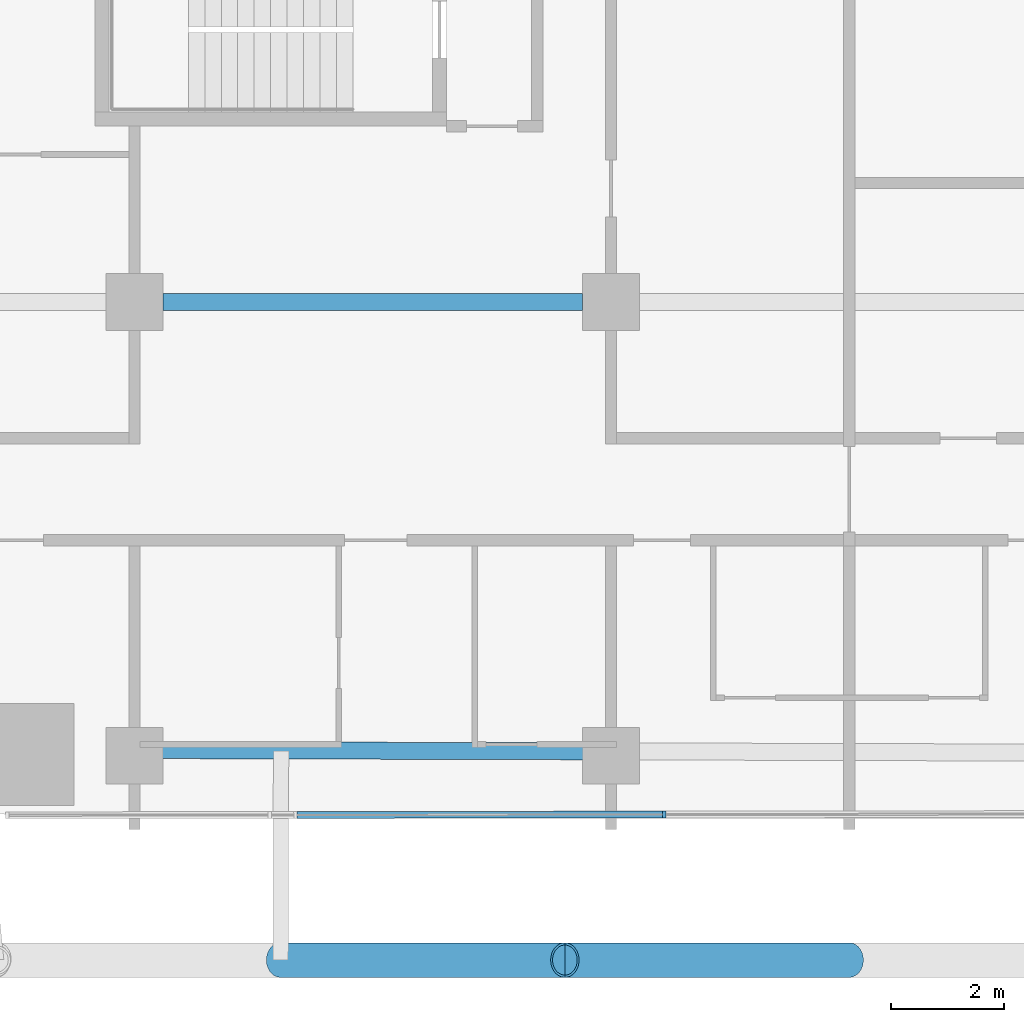
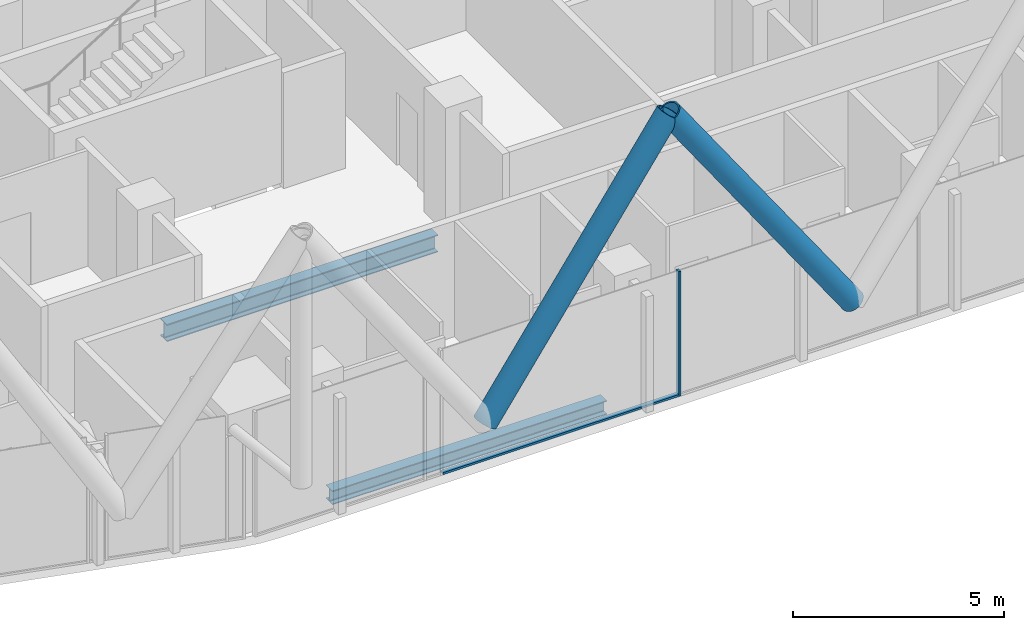
# One storey, part 3 of 38: 4 members, 2 beams, 1 element without a shape of its own.
"""IFC4 building model written with IfcOpenShell, lengths in metres."""

from ifc_helpers import new_model, si_unit, direction, frame, origin, origin_2d, place, context, subcontext, project, spatial, rectangle, hollow_circle, i_section, extrude, material, layer, layer_set, material_profile, profile_set, type_object, element, aggregate, save


model = new_model("IFC4")

# Units and contexts
model_context = context("Model", 3, precision=1e-05, world=origin(), true_north=direction((0.0, 1.0)))
body_context = subcontext(model_context, "Body", "Model", "MODEL_VIEW")
ifc_project = project(units=[si_unit("LENGTHUNIT", "METRE"), si_unit("AREAUNIT", "SQUARE_METRE"), si_unit("VOLUMEUNIT", "CUBIC_METRE"), si_unit("PLANEANGLEUNIT", "RADIAN"), si_unit("MASSUNIT", "GRAM", prefix="KILO")], contexts=[model_context])

# Site, building, storey
site_placement = place(None, origin())
site = spatial("IfcSite", under=ifc_project, at=site_placement, CompositionType="ELEMENT")
building_placement = place(site_placement, origin())
building = spatial("IfcBuilding", under=site, at=building_placement, Name="Marenta Gate Hotel Tower", CompositionType="ELEMENT")
storey_placement = place(building_placement, frame((0.0, 0.0, 68.89990234375)))
storey = spatial("IfcBuildingStorey", under=building, at=storey_placement, Name="L15", CompositionType="ELEMENT", Elevation=68.89990234375)

# Members
ifc_material_1 = material(Name="Steel S355J2W", Category="steel")
ifc_material_profile_1 = material_profile(ifc_material_1, hollow_circle(Radius=0.304931640625, WallThickness=0.0400390625, at=origin_2d()), Name="CHS 610x40")
ifc_profile_set_1 = profile_set([ifc_material_profile_1], Name="Steel S355J2W")
member_type_1 = type_object("IfcMemberType", Name="Diagrid diagonal Z1 CHS 610x40", PredefinedType="BRACE", material=ifc_profile_set_1)
for number, where, z_axis, x_axis, name in (
    (1, (0.0, -20.0, 3.14013671875), (-0.571393025954, 0.0, 0.820676556197), (0.0, -1.0, 0.0), "L15-DG-18"),
    (2, (-10.02587890625, -20.0, 3.14013671875), (0.571393025954, 0.0, 0.820676556197), (0.0, 1.0, 0.0), "L15-DG-19"),
):
    element("IfcMember", number, at=place(storey_placement, frame(where, z_axis=z_axis, x_axis=x_axis)), inside=storey, type_object=member_type_1, Name=name, PredefinedType="BRACE", context=body_context, shape_type="SweptSolid", body=[
        extrude(hollow_circle(Radius=0.304931640625, WallThickness=0.0400390625, at=origin_2d()), origin(), (0.0, 0.0, 1.0), 8.773193359375),
    ])

# Beams
ifc_material_2 = material(Name="Steel S355", Category="steel")
ifc_material_profile_2 = material_profile(ifc_material_2, i_section(OverallWidth=0.300048828125, OverallDepth=0.39990234375, WebThickness=0.013427734375, FlangeThickness=0.02392578125, FilletRadius=0.027099609375, at=origin_2d()), Name="HEB 400")
ifc_profile_set_2 = profile_set([ifc_material_profile_2], Name="Steel S355")
beam_type_1 = type_object("IfcBeamType", Name="Edge beam HEB 400", PredefinedType="SPANDREL", material=ifc_profile_set_2)
beam_1_placement = place(storey_placement, frame((-4.659912109375, -16.31982421875, -0.4599609375), z_axis=(-0.999996151562, 0.002774321851, 0.0), x_axis=(-0.002774321851, -0.999996151562, 0.0)))
element("IfcBeam", 3, at=beam_1_placement, inside=storey, type_object=beam_type_1, Name="L15-EB-34", PredefinedType="SPANDREL", context=body_context, shape_type="SweptSolid", body=[
    extrude(i_section(OverallWidth=0.300048828125, OverallDepth=0.39990234375, WebThickness=0.013427734375, FlangeThickness=0.02392578125, FilletRadius=0.027099609375, at=origin_2d()), origin(), (0.0, 0.0, 1.0), 7.47998046875),
])
ifc_material_3 = material(Name="Steel S355", Category="steel")
ifc_material_profile_3 = material_profile(ifc_material_3, i_section(OverallWidth=0.300048828125, OverallDepth=0.5, WebThickness=0.014404296875, FlangeThickness=0.028076171875, FilletRadius=0.027099609375, at=origin_2d()), Name="HEB 500")
ifc_profile_set_3 = profile_set([ifc_material_profile_3], Name="Steel S355")
beam_type_2 = type_object("IfcBeamType", Name="Girder HEB 500", PredefinedType="BEAM", material=ifc_profile_set_3)
beam_2_placement = place(storey_placement, frame((-12.10009765625, -8.39990234375, -0.510009765625), z_axis=(1.0, 0.0, 0.0), x_axis=(0.0, 1.0, 0.0)))
element("IfcBeam", 4, at=beam_2_placement, inside=storey, type_object=beam_type_2, Name="L15-GD-3", PredefinedType="BEAM", context=body_context, shape_type="SweptSolid", body=[
    extrude(i_section(OverallWidth=0.300048828125, OverallDepth=0.5, WebThickness=0.014404296875, FlangeThickness=0.028076171875, FilletRadius=0.027099609375, at=origin_2d()), origin(), (0.0, 0.0, 1.0), 7.400146484375),
])

# Curtain wall, members
ifc_material_4 = material(Name="Tinted insulated glass in bronze anodised frame", Category="glass")
ifc_layer = layer(ifc_material_4, 0.1201171875)
ifc_layer_set = layer_set([ifc_layer], Name="Tinted insulated glass in bronze anodised frame")
curtain_wall_type = type_object("IfcCurtainWallType", Name="Tower unitised curtain wall CW1", PredefinedType="NOTDEFINED", material=ifc_layer_set)
curtain_wall_placement = place(storey_placement, origin())
curtain_wall = element("IfcCurtainWall", 5, at=curtain_wall_placement, inside=storey, type_object=curtain_wall_type, Name="CW1 run G20", PredefinedType="NOTDEFINED")
ifc_material_5 = material(Name="Bronze anodised aluminium", Category="aluminium")
ifc_material_profile_4 = material_profile(ifc_material_5, rectangle(XDim=0.1201171875, YDim=0.06005859375, at=origin_2d()), Name="Mullion CW1 60x120 bronze anodised aluminium")
ifc_profile_set_4 = profile_set([ifc_material_profile_4], Name="Bronze anodised aluminium")
member_type_2 = type_object("IfcMemberType", Name="Mullion CW1 60x120 bronze anodised aluminium", PredefinedType="MULLION", material=ifc_profile_set_4)
member_1_placement = place(storey_placement, frame((-3.259521484375, -17.434326171875, 0.0), z_axis=(0.0, 0.0, 1.0), x_axis=(-0.001163317936, 0.999999323345, 0.0)))
member_1 = element("IfcMember", 6, at=member_1_placement, type_object=member_type_2, Name="CW1 mullion 2", PredefinedType="MULLION", context=body_context, shape_type="SweptSolid", body=[
    extrude(rectangle(XDim=0.1201171875, YDim=0.06005859375, at=origin_2d()), origin(), (0.0, 0.0, 1.0), 3.60009765625),
])
ifc_material_6 = material(Name="Bronze anodised aluminium", Category="aluminium")
ifc_material_profile_5 = material_profile(ifc_material_6, rectangle(XDim=0.1201171875, YDim=0.06005859375, at=origin_2d()), Name="Transom CW1 60x120 bronze anodised aluminium")
ifc_profile_set_5 = profile_set([ifc_material_profile_5], Name="Bronze anodised aluminium")
member_type_3 = type_object("IfcMemberType", Name="Transom CW1 60x120 bronze anodised aluminium", PredefinedType="USERDEFINED", material=ifc_profile_set_5)
member_2_placement = place(storey_placement, frame((-9.732421875, -17.44189453125, 0.030029296875), z_axis=(0.999999310055, 0.001174686571, 0.0), x_axis=(-0.001174686571, 0.999999310055, 0.0)))
member_2 = element("IfcMember", 7, at=member_2_placement, type_object=member_type_3, Name="CW1 transom 1.1", ObjectType="TRANSOM", PredefinedType="USERDEFINED", context=body_context, shape_type="SweptSolid", body=[
    extrude(rectangle(XDim=0.1201171875, YDim=0.06005859375, at=origin_2d()), origin(), (0.0, 0.0, 1.0), 6.44287109375),
])
aggregate(curtain_wall, [member_1, member_2])

save(model, "model.ifc")
